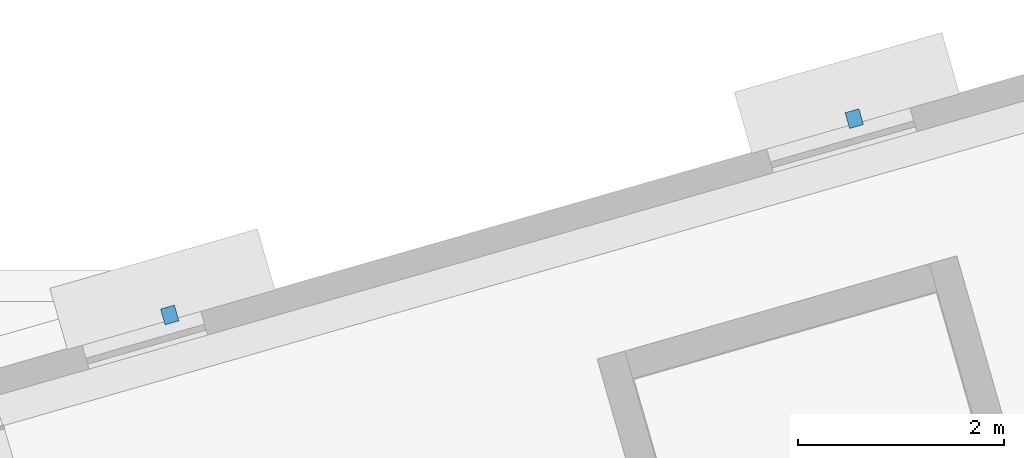
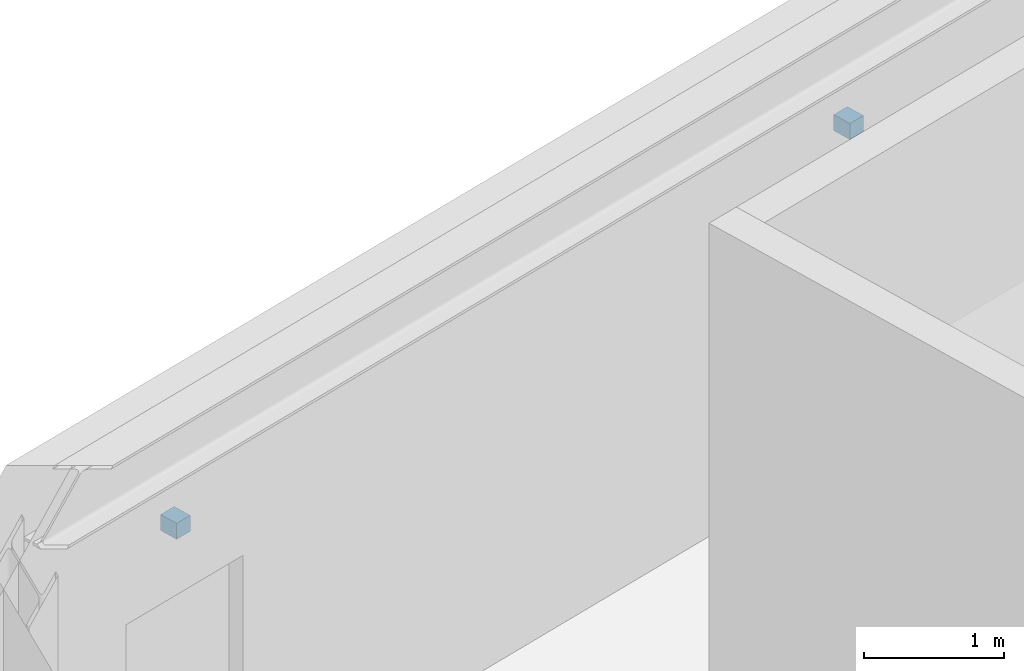
# One storey, part 42 of 59: 2 discrete accessories.
"""IFC4 building model written with IfcOpenShell, lengths in metres."""

from ifc_helpers import new_model, si_unit, direction, frame, origin, origin_2d, place, context, subcontext, project, spatial, rectangle, extrude, material, type_object, element, save


model = new_model("IFC4")

# Units and contexts
model_context = context("Model", 3, precision=1e-05, world=origin(), true_north=direction((0.0, 1.0)))
body_context = subcontext(model_context, "Body", "Model", "MODEL_VIEW")
ifc_project = project(units=[si_unit("LENGTHUNIT", "METRE"), si_unit("AREAUNIT", "SQUARE_METRE"), si_unit("VOLUMEUNIT", "CUBIC_METRE"), si_unit("PLANEANGLEUNIT", "RADIAN"), si_unit("MASSUNIT", "GRAM", prefix="KILO")], contexts=[model_context])

# Site, building, storey
site_placement = place(None, origin())
site = spatial("IfcSite", under=ifc_project, at=site_placement, CompositionType="ELEMENT")
building_placement = place(site_placement, origin())
building = spatial("IfcBuilding", under=site, at=building_placement, Name="Varnklinge Art Gallery", CompositionType="ELEMENT")
storey_placement = place(building_placement, frame((0.0, 0.0, 9.52001953125)))
storey = spatial("IfcBuildingStorey", under=building, at=storey_placement, Name="L02", CompositionType="ELEMENT", Elevation=9.52001953125)

# Discrete accessories
ifc_material = material(Name="Steel S355", Category="steel")
discrete_accessory_type = type_object("IfcDiscreteAccessoryType", Name="BRK-01", PredefinedType="BRACKET", material=ifc_material)
for number, where, z_axis, x_axis, name in (
    (1, (119.406982421875, 35.96728515625, 2.43017578125), (0.0, 0.0, 1.0), (0.961261695938, 0.275637355817, 0.0), "L02 Fin Outrigger Bracket EW-V6-L02-02.1"),
    (2, (126.064697265625, 37.87646484375, 2.43017578125), (0.0, 0.0, 1.0), (0.961261695938, 0.275637355817, 0.0), "L02 Fin Outrigger Bracket EW-V6-L02-02.2"),
):
    element("IfcDiscreteAccessory", number, at=place(storey_placement, frame(where, z_axis=z_axis, x_axis=x_axis)), inside=storey, type_object=discrete_accessory_type, Name=name, PredefinedType="BRACKET", context=body_context, shape_type="SweptSolid", body=[
        extrude(rectangle(XDim=0.139892578125, YDim=0.159912109375, at=origin_2d()), origin(), (0.0, 0.0, 1.0), 0.139892578125),
    ])

save(model, "model.ifc")
